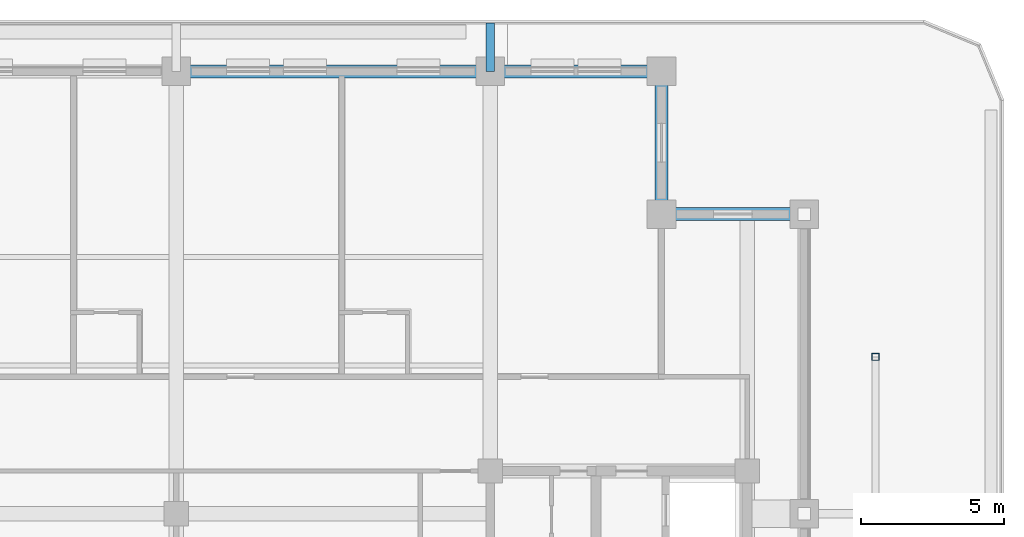
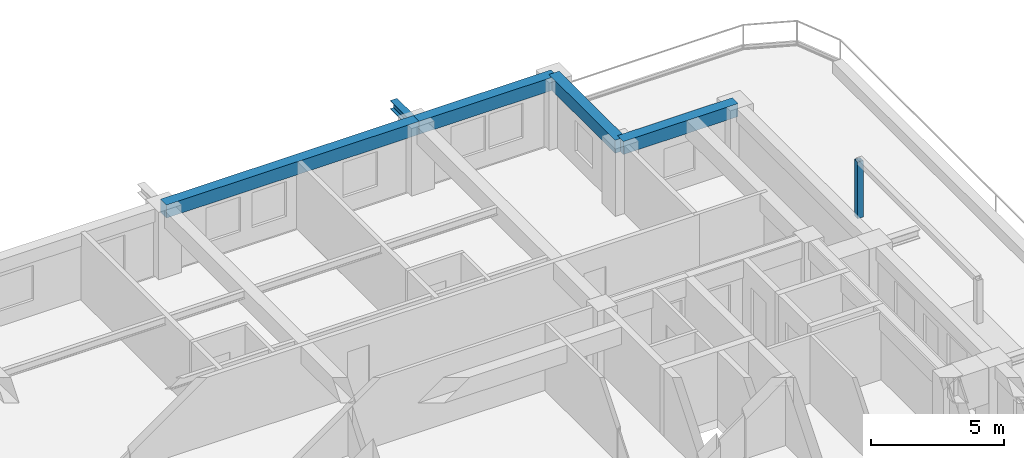
# One storey, part 4 of 18: 5 beams, 1 member.
"""IFC4 building model written with IfcOpenShell, lengths in metres."""

import ifcopenshell
import ifcopenshell.guid

model = None  # the IFC model being written
_history = None  # IfcOwnerHistory: only IFC2X3 demands one
_inside = {}  # id of a spatial element -> (the spatial element, [elements in it])
_under = {}  # id of a project, library or spatial element -> (it, [spatial elements below it])
_declared = {}  # id of a project -> (the project, [libraries it declares])
_typed = {}  # id of a type object -> (the type object, [elements of that type])
_made_of = {}  # id of a material, layer set ... -> (it, [elements and type objects made of it])


def new_model(schema):
    """Start an empty IFC model of exactly this schema.

    Asked for "IFC4X3", IfcOpenShell would pick the latest addendum, in which some entities
    have other attributes; the version numbers below select the first issue.
    IFC2X3 requires an IfcOwnerHistory on every rooted entity: one is made here for all.
    """
    global model, _history
    if schema == "IFC4X3":
        model = ifcopenshell.file(schema_version=(4, 3, 0, 0))
    else:
        model = ifcopenshell.file(schema=schema)
    _inside.clear()
    _under.clear()
    _declared.clear()
    _typed.clear()
    _made_of.clear()
    _history = None
    if model.schema == "IFC2X3":
        org = make("IfcOrganization", Name="unknown")
        user = make(
            "IfcPersonAndOrganization",
            ThePerson=make("IfcPerson", FamilyName="unknown"),
            TheOrganization=org,
        )
        app = make(
            "IfcApplication",
            ApplicationDeveloper=org,
            Version="unknown",
            ApplicationFullName="unknown",
            ApplicationIdentifier="unknown",
        )
        _history = make(
            "IfcOwnerHistory",
            OwningUser=user,
            OwningApplication=app,
            ChangeAction="ADDED",
            CreationDate=0,
        )
    return model


def make(cls, **values):
    """One entity of the class cls with the attributes given. An attribute that is None is left unset."""
    return model.create_entity(
        cls, **{name: value for name, value in values.items() if value is not None}
    )


def rooted(cls, **values):
    """An entity with a GlobalId (a new one), such as an element, a storey or a relation."""
    return make(cls, GlobalId=ifcopenshell.guid.new(), OwnerHistory=_history, **values)


def si_unit(unit_type, name, prefix=None):
    """IfcSIUnit, for example si_unit("LENGTHUNIT", "METRE", prefix="MILLI")."""
    return make("IfcSIUnit", UnitType=unit_type, Prefix=prefix, Name=name)


def assignment(units):
    """IfcUnitAssignment: the units of a project."""
    return None if units is None else make("IfcUnitAssignment", Units=units)


def point(xyz):
    """IfcCartesianPoint."""
    return None if xyz is None else make("IfcCartesianPoint", Coordinates=xyz)


def direction(xyz):
    """IfcDirection."""
    return None if xyz is None else make("IfcDirection", DirectionRatios=xyz)


def frame(location, z_axis=None, x_axis=None):
    """IfcAxis2Placement3D, a coordinate frame: its origin and axes. An axis left out is left unset."""
    return make(
        "IfcAxis2Placement3D",
        Location=point(location),
        Axis=direction(z_axis),
        RefDirection=direction(x_axis),
    )


def frame_2d(location, x_axis=None):
    """IfcAxis2Placement2D, a coordinate frame in the plane: its origin and x axis."""
    return make(
        "IfcAxis2Placement2D", Location=point(location), RefDirection=direction(x_axis)
    )


def origin():
    """The frame at (0, 0, 0) with its axes left unset."""
    return frame((0.0, 0.0, 0.0))


def origin_2d():
    """The frame at (0, 0) in the plane with its x axis left unset."""
    return frame_2d((0.0, 0.0))


def place(relative_to, where):
    """IfcLocalPlacement: puts the frame where relative to a parent placement (None: the world)."""
    return make(
        "IfcLocalPlacement", PlacementRelTo=relative_to, RelativePlacement=where
    )


def context(
    kind, dimensions, precision=None, world=None, true_north=None, identifier=None
):
    """IfcGeometricRepresentationContext, for example the 3D "Model" context."""
    return make(
        "IfcGeometricRepresentationContext",
        ContextIdentifier=identifier,
        ContextType=kind,
        CoordinateSpaceDimension=dimensions,
        Precision=precision,
        WorldCoordinateSystem=world,
        TrueNorth=true_north,
    )


def subcontext(parent, identifier, kind, view, scale=None):
    """IfcGeometricRepresentationSubContext, for example "Body" below "Model"."""
    return make(
        "IfcGeometricRepresentationSubContext",
        ContextIdentifier=identifier,
        ContextType=kind,
        ParentContext=parent,
        TargetScale=scale,
        TargetView=view,
    )


def project(units=None, contexts=None):
    """IfcProject with its units and contexts."""
    return rooted(
        "IfcProject",
        Name="project",
        RepresentationContexts=contexts,
        UnitsInContext=assignment(units),
    )


def spatial(cls, under=None, at=None, **own):
    """A site, building, storey or space (cls), placed at a placement, below another one or the project."""
    s = rooted(cls, ObjectPlacement=at, **own)
    if under is not None:
        _under.setdefault(under.id(), (under, []))[1].append(s)
    return s


def profile(cls, at=None, kind="AREA", **sizes):
    """A parametric profile (cls). Its sizes go by their IFC names, for example OverallWidth=200.0."""
    return make(cls, ProfileType=kind, Position=at, **sizes)


def rectangle(**sizes):
    """IfcRectangleProfileDef."""
    return profile("IfcRectangleProfileDef", **sizes)


def hollow_rectangle(**sizes):
    """IfcRectangleHollowProfileDef."""
    return profile("IfcRectangleHollowProfileDef", **sizes)


def i_section(**sizes):
    """IfcIShapeProfileDef."""
    return profile("IfcIShapeProfileDef", **sizes)


def extrude(swept, where, along, depth):
    """IfcExtrudedAreaSolid: the profile swept, set in the frame where, extruded along a direction by depth."""
    return make(
        "IfcExtrudedAreaSolid",
        SweptArea=swept,
        Position=where,
        ExtrudedDirection=direction(along),
        Depth=depth,
    )


def shape(context_of_items, identifier, shape_type, items):
    """IfcShapeRepresentation: the items that make up one representation, for example the "Body"."""
    return make(
        "IfcShapeRepresentation",
        ContextOfItems=context_of_items,
        RepresentationIdentifier=identifier,
        RepresentationType=shape_type,
        Items=items,
    )


def material(Name=None, Category=None):
    """IfcMaterial."""
    return make("IfcMaterial", Name=Name, Category=Category)


def material_profile(
    of_material, cross_section, Name=None, Category=None, Priority=None
):
    """IfcMaterialProfile: a cross section and its material."""
    return make(
        "IfcMaterialProfile",
        Name=Name,
        Material=of_material,
        Profile=cross_section,
        Priority=Priority,
        Category=Category,
    )


def profile_set(profiles, Name=None, composite=None):
    """IfcMaterialProfileSet."""
    return make(
        "IfcMaterialProfileSet",
        Name=Name,
        MaterialProfiles=profiles,
        CompositeProfile=composite,
    )


def made_of(thing, what):
    """Note that an element or type object is made of a material, layer set ...; save() writes the relation."""
    if what is not None:
        _made_of.setdefault(what.id(), (what, []))[1].append(thing)
    return thing


def type_object(cls, material=None, **own):
    """A type object (cls), such as IfcWallType, which elements share."""
    return made_of(rooted(cls, **own), material)


def element(
    cls,
    number,
    at=None,
    inside=None,
    cuts=None,
    type_object=None,
    material=None,
    context=None,
    identifier="Body",
    shape_type=None,
    held_by="IfcProductDefinitionShape",
    body=None,
    shapes=None,
    **own,
):
    """One element of the class cls, such as IfcWall. Its Tag is "e" and its number.

    at: its placement. inside: the storey or other place that contains it. cuts: it is an
    opening in that element (IfcRelVoidsElement). A single representation is given by context,
    identifier, shape_type and body (its items); several are given by shapes. held_by: the class
    of the entity that holds the representations. save() writes the other relations.
    """
    e = rooted(cls, Tag="e%d" % number, ObjectPlacement=at, **own)
    if body is not None:
        shapes = [shape(context, identifier, shape_type, body)]
    if shapes is not None:
        e.Representation = make(held_by, Representations=shapes)
    if inside is not None:
        _inside.setdefault(inside.id(), (inside, []))[1].append(e)
    if cuts is not None:
        rooted(
            "IfcRelVoidsElement", RelatingBuildingElement=cuts, RelatedOpeningElement=e
        )
    if type_object is not None:
        _typed.setdefault(type_object.id(), (type_object, []))[1].append(e)
    return made_of(e, material)


def aggregate(whole, parts):
    """IfcRelAggregates: a whole, such as a stair, and the parts it consists of."""
    return rooted("IfcRelAggregates", RelatingObject=whole, RelatedObjects=parts)


def save(model, path):
    """Write the relations noted so far, then the file.

    IfcRelAggregates (storeys below a building ...), IfcRelContainedInSpatialStructure (elements
    in a storey), IfcRelDefinesByType, IfcRelAssociatesMaterial and IfcRelDeclares: one each for
    every whole, place, type object, material and project.
    """
    for whole, parts in _under.values():
        aggregate(whole, parts)
    for where, things in _inside.values():
        rooted(
            "IfcRelContainedInSpatialStructure",
            RelatedElements=things,
            RelatingStructure=where,
        )
    for kind, things in _typed.values():
        rooted("IfcRelDefinesByType", RelatedObjects=things, RelatingType=kind)
    for what, things in _made_of.values():
        rooted("IfcRelAssociatesMaterial", RelatedObjects=things, RelatingMaterial=what)
    for by, libraries in _declared.values():
        rooted("IfcRelDeclares", RelatingContext=by, RelatedDefinitions=libraries)
    model.write(path)


model = new_model("IFC4")

# Units and contexts
model_context = context("Model", 3, precision=1e-05, world=origin(), true_north=direction((0.0, 1.0)))
body_context = subcontext(model_context, "Body", "Model", "MODEL_VIEW")
ifc_project = project(units=[si_unit("LENGTHUNIT", "METRE"), si_unit("AREAUNIT", "SQUARE_METRE"), si_unit("VOLUMEUNIT", "CUBIC_METRE"), si_unit("PLANEANGLEUNIT", "RADIAN"), si_unit("MASSUNIT", "GRAM", prefix="KILO")], contexts=[model_context])

# Site, building, storey
site_placement = place(None, origin())
site = spatial("IfcSite", under=ifc_project, at=site_placement, CompositionType="ELEMENT")
building_placement = place(site_placement, origin())
building = spatial("IfcBuilding", under=site, at=building_placement, Name="Zulmaris Gate Convention Tower", CompositionType="ELEMENT")
storey_placement = place(building_placement, frame((0.0, 0.0, 191.4599609375)))
storey = spatial("IfcBuildingStorey", under=building, at=storey_placement, Name="L49", CompositionType="ELEMENT", Elevation=191.4599609375)

# Beams
ifc_material_1 = material(Name="Steel S355", Category="steel")
ifc_material_profile_1 = material_profile(ifc_material_1, i_section(OverallWidth=0.300048828125, OverallDepth=0.39990234375, WebThickness=0.013427734375, FlangeThickness=0.02392578125, FilletRadius=0.027099609375, at=origin_2d()), Name="HEB 400")
ifc_profile_set_1 = profile_set([ifc_material_profile_1], Name="Steel S355")
beam_type_1 = type_object("IfcBeamType", Name="BM-HEB400", PredefinedType="BEAM", material=ifc_profile_set_1)
beam_1_placement = place(storey_placement, frame((11.0, 24.5, 2.77294921875), z_axis=(0.0, 1.0, 0.0), x_axis=(-1.0, 0.0, 0.0)))
element("IfcBeam", 1, at=beam_1_placement, inside=storey, type_object=beam_type_1, Name="L49 Beam TBRK-L49-N-+11", PredefinedType="BEAM", context=body_context, shape_type="SweptSolid", body=[
    extrude(i_section(OverallWidth=0.300048828125, OverallDepth=0.39990234375, WebThickness=0.013427734375, FlangeThickness=0.02392578125, FilletRadius=0.027099609375, at=origin_2d()), origin(), (0.0, 0.0, 1.0), 1.699951171875),
])
ifc_material_2 = material(Name="Precast concrete C50/60", Category="concrete")
ifc_material_profile_2 = material_profile(ifc_material_2, rectangle(XDim=0.449951171875, YDim=0.60009765625, at=origin_2d()), Name="RC SPANDREL 450x600")
ifc_profile_set_2 = profile_set([ifc_material_profile_2], Name="Precast concrete C50/60")
beam_type_2 = type_object("IfcBeamType", Name="BM-SP450x600", PredefinedType="SPANDREL", material=ifc_profile_set_2)
for number, where, z_axis, x_axis, name in (
    (2, (22.0, 19.5, 2.824951171875), (-1.0, 0.0, 0.0), (0.0, -1.0, 0.0), "L49 Spandrel SP-L49-11"),
    (3, (17.0, 19.5, 2.824951171875), (0.0, 1.0, 0.0), (-1.0, 0.0, 0.0), "L49 Spandrel SP-L49-12"),
):
    element("IfcBeam", number, at=place(storey_placement, frame(where, z_axis=z_axis, x_axis=x_axis)), inside=storey, type_object=beam_type_2, Name=name, PredefinedType="SPANDREL", context=body_context, shape_type="SweptSolid", body=[
        extrude(rectangle(XDim=0.449951171875, YDim=0.60009765625, at=origin_2d()), origin(), (0.0, 0.0, 1.0), 5.0),
    ])
beam_2_placement = place(storey_placement, frame((17.0, 24.5, 2.824951171875), z_axis=(-1.0, 0.0, 0.0), x_axis=(0.0, -1.0, 0.0)))
element("IfcBeam", 4, at=beam_2_placement, inside=storey, type_object=beam_type_2, Name="L49 Spandrel SP-L49-13", PredefinedType="SPANDREL", context=body_context, shape_type="SweptSolid", body=[
    extrude(rectangle(XDim=0.449951171875, YDim=0.60009765625, at=origin_2d()), origin(), (0.0, 0.0, 1.0), 6.0),
])
beam_3_placement = place(storey_placement, frame((11.0, 24.5, 2.824951171875), z_axis=(-1.0, 0.0, 0.0), x_axis=(0.0, -1.0, 0.0)))
element("IfcBeam", 5, at=beam_3_placement, inside=storey, type_object=beam_type_2, Name="L49 Spandrel SP-L49-14", PredefinedType="SPANDREL", context=body_context, shape_type="SweptSolid", body=[
    extrude(rectangle(XDim=0.449951171875, YDim=0.60009765625, at=origin_2d()), origin(), (0.0, 0.0, 1.0), 11.0),
])

# Member
ifc_material_profile_3 = material_profile(ifc_material_1, hollow_rectangle(XDim=0.25, YDim=0.25, WallThickness=0.012451171875, at=origin_2d()), Name="SHS 250x250x12.5")
ifc_profile_set_3 = profile_set([ifc_material_profile_3], Name="Steel S355")
member_type = type_object("IfcMemberType", Name="ST-SHS250", PredefinedType="STRUT", material=ifc_profile_set_3)
member_placement = place(storey_placement, frame((24.5, 14.5, -0.0400390625), z_axis=(0.0, 0.0, 1.0), x_axis=(1.0, 0.0, 0.0)))
element("IfcMember", 6, at=member_placement, inside=storey, type_object=member_type, Name="L49 Exposed Terrace Planted Pergola Post 2B", PredefinedType="STRUT", context=body_context, shape_type="SweptSolid", body=[
    extrude(hollow_rectangle(XDim=0.25, YDim=0.25, WallThickness=0.012451171875, at=origin_2d()), origin(), (0.0, 0.0, 1.0), 2.60009765625),
])

save(model, "model.ifc")
